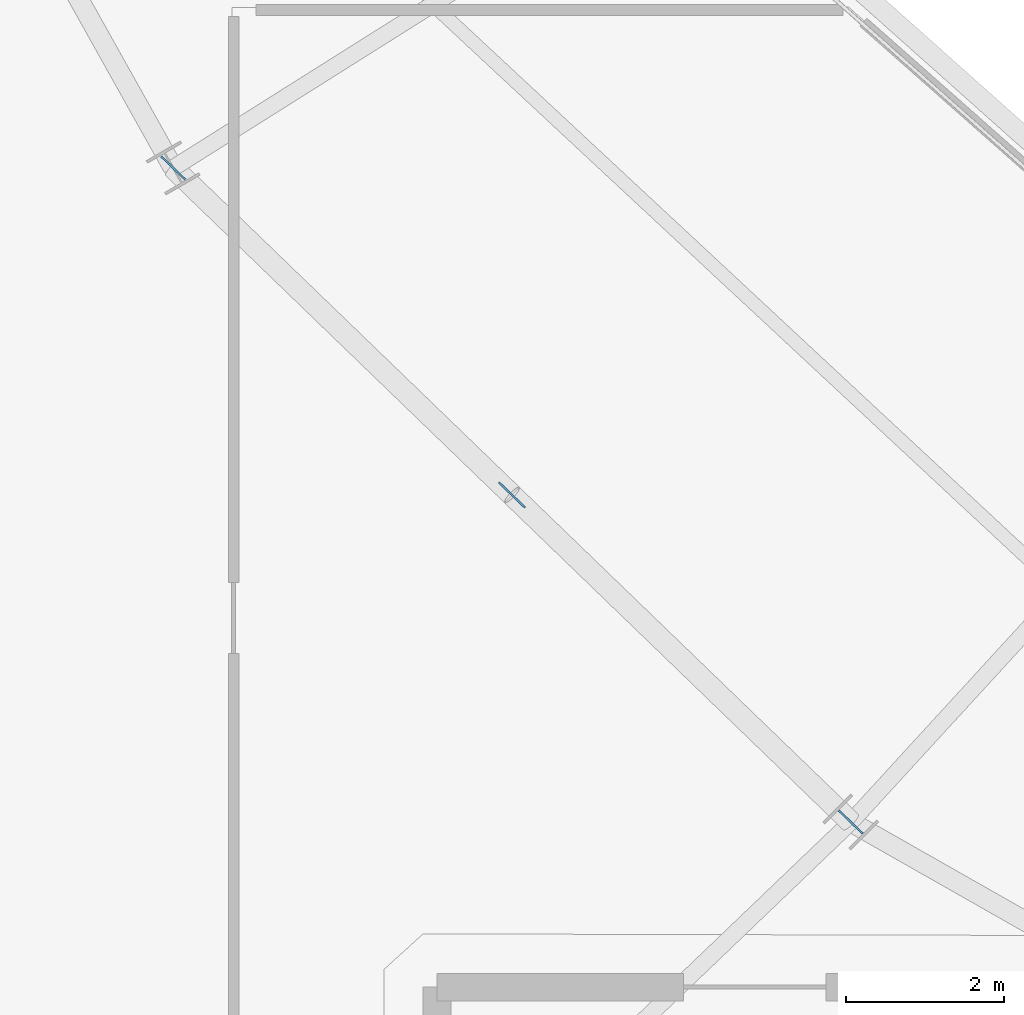
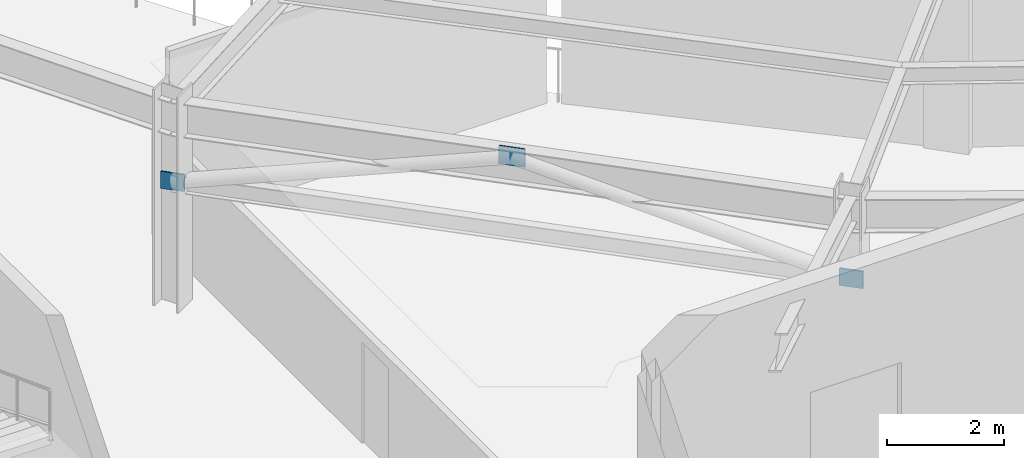
# One storey, part 67 of 107: 3 plates.
"""IFC4 building model written with IfcOpenShell, lengths in metres."""

from ifc_helpers import new_model, si_unit, direction, frame, origin, origin_2d, place, context, subcontext, project, spatial, rectangle, extrude, material, layer, layer_set, type_object, element, save


model = new_model("IFC4")

# Units and contexts
model_context = context("Model", 3, precision=1e-05, world=origin(), true_north=direction((0.0, 1.0)))
body_context = subcontext(model_context, "Body", "Model", "MODEL_VIEW")
ifc_project = project(units=[si_unit("LENGTHUNIT", "METRE"), si_unit("AREAUNIT", "SQUARE_METRE"), si_unit("VOLUMEUNIT", "CUBIC_METRE"), si_unit("PLANEANGLEUNIT", "RADIAN"), si_unit("MASSUNIT", "GRAM", prefix="KILO")], contexts=[model_context])

# Site, building, storey
site_placement = place(None, origin())
site = spatial("IfcSite", under=ifc_project, at=site_placement, CompositionType="ELEMENT")
building_placement = place(site_placement, origin())
building = spatial("IfcBuilding", under=site, at=building_placement, Name="Kalgoora Escarpment Arena", CompositionType="ELEMENT")
storey_placement = place(building_placement, frame((0.0, 0.0, 5.39990234375)))
storey = spatial("IfcBuildingStorey", under=building, at=storey_placement, Name="L01", CompositionType="ELEMENT", Elevation=5.39990234375)

# Plates
ifc_material = material(Name="Structural steel Grade 350 (350 MPa)", Category="steel")
ifc_layer = layer(ifc_material, 0.02490234375)
ifc_layer_set = layer_set([ifc_layer], Name="PLT-GUSSET-25")
plate_type = type_object("IfcPlateType", Name="PLT-GUSSET-25", PredefinedType="USERDEFINED", material=ifc_layer_set)
plate_placement = place(storey_placement, frame((49.92529296875, 39.85791015625, 3.860107421875), z_axis=(0.0, 0.0, 1.0), x_axis=(0.719461030139, -0.6945328114, 0.0)))
element("IfcPlate", 1, at=plate_placement, inside=storey, type_object=plate_type, Name="L01 chevron gusset cap plate R15", ObjectType="FLANGE PLATE", PredefinedType="USERDEFINED", context=body_context, shape_type="SweptSolid", body=[
    extrude(rectangle(XDim=0.4599609375, YDim=0.02490234375, at=origin_2d()), origin(), (0.0, 0.0, 1.0), 0.3798828125),
])
for number, where, z_axis, x_axis, name in (
    (2, (45.634521484375, 44.0, 2.33984375), (0.0, 0.0, 1.0), (0.719339800339, -0.694658370459, 0.0), "Brace and post end gusset plate 013"),
    (3, (54.21630859375, 35.7158203125, 2.33984375), (0.0, 0.0, 1.0), (-0.719339800339, 0.694658370459, 0.0), "Brace and post end gusset plate 014"),
):
    element("IfcPlate", number, at=place(storey_placement, frame(where, z_axis=z_axis, x_axis=x_axis)), inside=storey, type_object=plate_type, Name=name, ObjectType="FLANGE PLATE", PredefinedType="USERDEFINED", context=body_context, shape_type="SweptSolid", body=[
        extrude(rectangle(XDim=0.419921875, YDim=0.02490234375, at=origin_2d()), origin(), (0.0, 0.0, 1.0), 0.360107421875),
    ])

save(model, "model.ifc")
